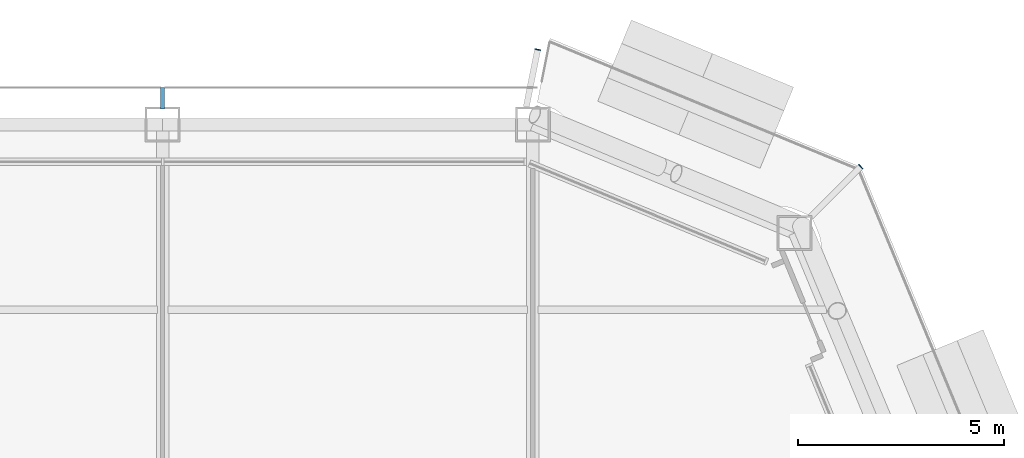
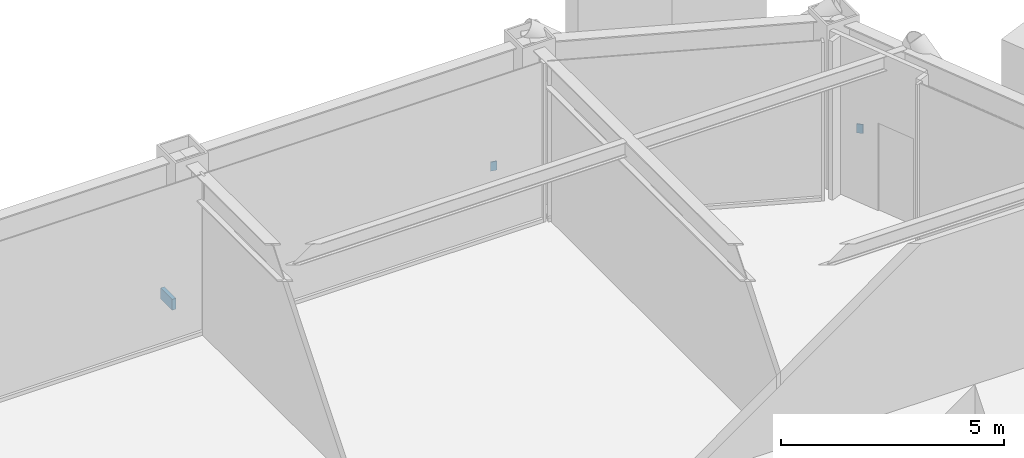
# One storey, part 18 of 23: 3 discrete accessories.
"""IFC4 building model written with IfcOpenShell, lengths in metres."""

from ifc_helpers import new_model, si_unit, direction, frame, origin, origin_2d, place, context, subcontext, project, spatial, rectangle, extrude, material, layer, layer_set, type_object, element, save


model = new_model("IFC4")

# Units and contexts
model_context = context("Model", 3, precision=1e-05, world=origin(), true_north=direction((0.0, 1.0)))
body_context = subcontext(model_context, "Body", "Model", "MODEL_VIEW")
ifc_project = project(units=[si_unit("LENGTHUNIT", "METRE"), si_unit("AREAUNIT", "SQUARE_METRE"), si_unit("VOLUMEUNIT", "CUBIC_METRE"), si_unit("PLANEANGLEUNIT", "RADIAN"), si_unit("MASSUNIT", "GRAM", prefix="KILO")], contexts=[model_context])

# Site, building, storey
site_placement = place(None, origin())
site = spatial("IfcSite", under=ifc_project, at=site_placement, CompositionType="ELEMENT")
building_placement = place(site_placement, origin())
building = spatial("IfcBuilding", under=site, at=building_placement, Name="Siwar Civic Tower", CompositionType="ELEMENT")
storey_placement = place(building_placement, frame((0.0, 0.0, 224.199951171875)))
storey = spatial("IfcBuildingStorey", under=building, at=storey_placement, Name="L48", CompositionType="ELEMENT", Elevation=224.199951171875)

# Discrete accessories
ifc_material_1 = material(Name="Stainless steel 316", Category="steel")
discrete_accessory_type_1 = type_object("IfcDiscreteAccessoryType", Name="ENV-BRACKET", PredefinedType="BRACKET", material=ifc_material_1)
discrete_accessory_placement = place(storey_placement, frame((9.0, 27.639892578125, -0.14990234375), z_axis=(0.0, 0.0, 1.0), x_axis=(0.0, 1.0, 0.0)))
element("IfcDiscreteAccessory", 1, at=discrete_accessory_placement, inside=storey, type_object=discrete_accessory_type_1, Name="Bracket outer skin joint N-01", PredefinedType="BRACKET", context=body_context, shape_type="SweptSolid", body=[
    extrude(rectangle(XDim=0.52001953125, YDim=0.10009765625, at=origin_2d()), origin(), (0.0, 0.0, 1.0), 0.300048828125),
])
ifc_material_2 = material(Name="Steel S355", Category="steel")
ifc_layer = layer(ifc_material_2, 0.02001953125)
ifc_layer_set = layer_set([ifc_layer], Name="Steel S355")
discrete_accessory_type_2 = type_object("IfcDiscreteAccessoryType", Name="STR-END-CAP", PredefinedType="USERDEFINED", material=ifc_layer_set)
for number, where, z_axis, x_axis, name in (
    (2, (25.978271484375, 25.978271484375, -0.39990234375), (0.0, 0.0, 1.0), (0.707106781187, 0.707106781187, 0.0), "End cap plate Balcony cantilever beam NE 2"),
    (3, (18.118408203125, 28.8251953125, -0.39990234375), (0.0, 0.0, 1.0), (0.195090321811, 0.980785280444, 0.0), "End cap plate Balcony cantilever beam NE 3"),
):
    element("IfcDiscreteAccessory", number, at=place(storey_placement, frame(where, z_axis=z_axis, x_axis=x_axis)), inside=storey, type_object=discrete_accessory_type_2, Name=name, ObjectType="END CAP PLATE", PredefinedType="USERDEFINED", context=body_context, shape_type="SweptSolid", body=[
        extrude(rectangle(XDim=0.02001953125, YDim=0.14990234375, at=origin_2d()), origin(), (0.0, 0.0, 1.0), 0.25),
    ])

save(model, "model.ifc")
